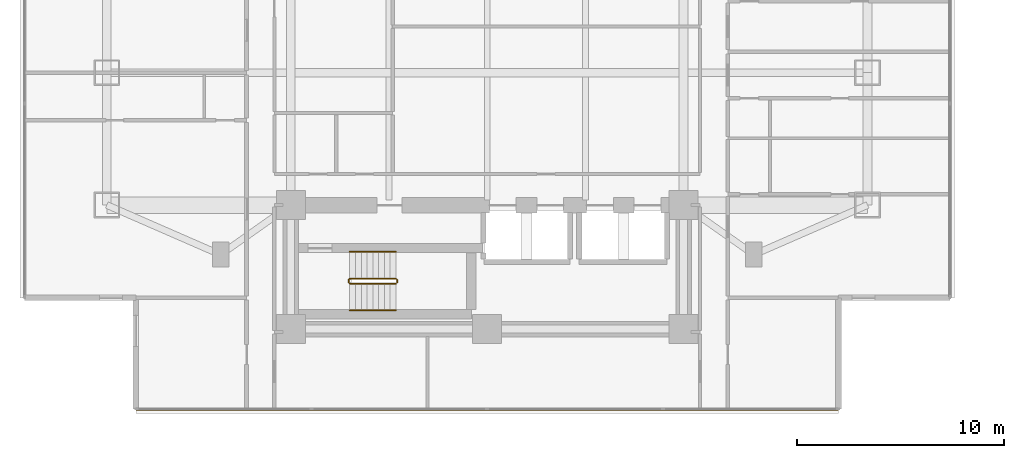
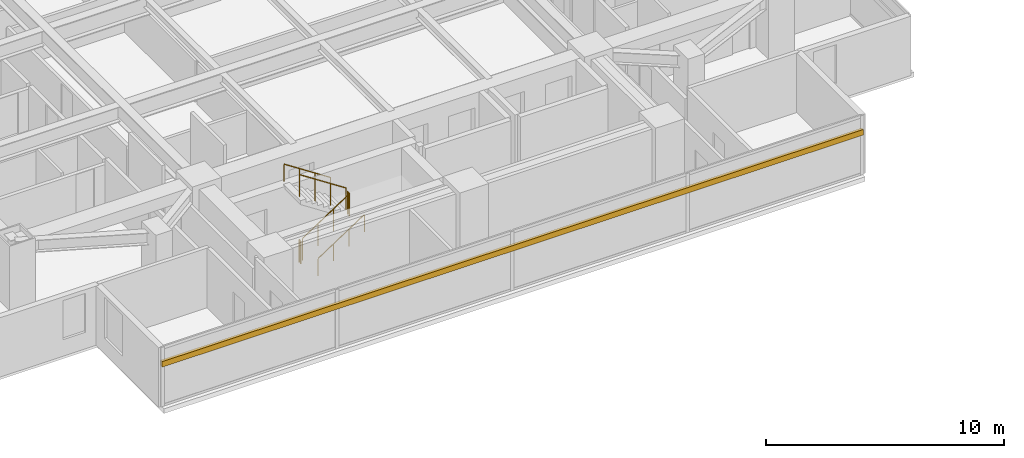
# One storey, part 22 of 26: 6 railings, 1 shading device.
"""IFC4 building model written with IfcOpenShell, lengths in metres."""

from ifc_helpers import new_model, si_unit, direction, frame, origin, origin_2d, place, context, subcontext, project, spatial, rectangle, circle, extrude, material, material_profile, profile_set, type_object, element, save


model = new_model("IFC4")

# Units and contexts
model_context = context("Model", 3, precision=1e-05, world=origin(), true_north=direction((0.0, 1.0)))
body_context = subcontext(model_context, "Body", "Model", "MODEL_VIEW")
ifc_project = project(units=[si_unit("LENGTHUNIT", "METRE"), si_unit("AREAUNIT", "SQUARE_METRE"), si_unit("VOLUMEUNIT", "CUBIC_METRE"), si_unit("PLANEANGLEUNIT", "RADIAN"), si_unit("MASSUNIT", "GRAM", prefix="KILO")], contexts=[model_context])

# Site, building, storey
site_placement = place(None, origin())
site = spatial("IfcSite", under=ifc_project, at=site_placement, CompositionType="ELEMENT")
building_placement = place(site_placement, origin())
building = spatial("IfcBuilding", under=site, at=building_placement, Name="Mirazonda Arch Towers", CompositionType="ELEMENT")
storey_placement = place(building_placement, frame((0.0, 0.0, 38.89990234375)))
storey = spatial("IfcBuildingStorey", under=building, at=storey_placement, Name="L10", CompositionType="ELEMENT", Elevation=38.89990234375)

# Shading device
ifc_material_1 = material(Name="Kiln-Fired Architectural Terracotta", Category="masonry")
ifc_material_profile = material_profile(ifc_material_1, rectangle(XDim=0.139892578125, YDim=0.280029296875, at=origin_2d()), Name="TERRA-BAG-140x280")
ifc_profile_set = profile_set([ifc_material_profile], Name="Kiln-Fired Architectural Terracotta")
shading_device_type = type_object("IfcShadingDeviceType", Name="BAGUETTE-3", PredefinedType="USERDEFINED", material=ifc_profile_set)
shading_device_placement = place(storey_placement, frame((37.5, 8.530029296875, 2.18896484375), z_axis=(-1.0, 0.0, 0.0), x_axis=(0.0, -1.0, 0.0)))
element("IfcShadingDevice", 1, at=shading_device_placement, inside=storey, type_object=shading_device_type, Name="L10 Glazed Terracotta Sun-Screen Baguette CW-L10-T1-S", ObjectType="BAGUETTE", PredefinedType="USERDEFINED", context=body_context, shape_type="SweptSolid", body=[
    extrude(rectangle(XDim=0.139892578125, YDim=0.280029296875, at=origin_2d()), origin(), (0.0, 0.0, 1.0), 34.0),
])

# Railings
ifc_material_2 = material(Name="Architectural Brushed Steel S355", Category="steel")
railing_type_1 = type_object("IfcRailingType", Name="GUARD-STAIR-1120", PredefinedType="GUARDRAIL", material=ifc_material_2)
railing_1_placement = place(storey_placement, frame((13.85009765625, 14.60009765625, 0.183349609375)))
element("IfcRailing", 2, at=railing_1_placement, inside=storey, type_object=railing_type_1, Name="L10 ST-T1S stair guard 1", PredefinedType="GUARDRAIL", context=body_context, shape_type="SweptSolid", body=[
    extrude(circle(Radius=0.02392578125, at=origin_2d()), frame((0.0, 0.0, 1.1259765625), z_axis=(0.836595146698, 0.0, 0.547821650285), x_axis=(0.0, 1.0, 0.0)), (0.0, 0.0, 1.0), 2.677490234375),
    extrude(circle(Radius=0.02099609375, at=origin_2d()), origin(), (0.0, 0.0, 1.0), 1.101806640625),
    extrude(circle(Radius=0.02099609375, at=origin_2d()), frame((0.74658203125, 0.0, 0.489013671875)), (0.0, 0.0, 1.0), 1.101806640625),
    extrude(circle(Radius=0.02099609375, at=origin_2d()), frame((1.493408203125, 0.0, 0.977783203125)), (0.0, 0.0, 1.0), 1.101806640625),
    extrude(circle(Radius=0.02099609375, at=origin_2d()), frame((2.239990234375, 0.0, 1.466796875)), (0.0, 0.0, 1.0), 1.101806640625),
])
railing_2_placement = place(storey_placement, frame((16.139892578125, 14.64990234375, 1.650146484375)))
element("IfcRailing", 3, at=railing_2_placement, inside=storey, type_object=railing_type_1, Name="L10 ST-T1S stair guard 2", PredefinedType="GUARDRAIL", context=body_context, shape_type="SweptSolid", body=[
    extrude(circle(Radius=0.02392578125, at=origin_2d()), frame((0.0, 0.0, 1.1259765625), z_axis=(0.0, 1.0, 0.0), x_axis=(-1.0, 0.0, 0.0)), (0.0, 0.0, 1.0), 0.14013671875),
    extrude(circle(Radius=0.02099609375, at=origin_2d()), origin(), (0.0, 0.0, 1.0), 1.101806640625),
    extrude(circle(Radius=0.02099609375, at=origin_2d()), frame((0.0, 0.14013671875, 0.0)), (0.0, 0.0, 1.0), 1.101806640625),
])
railing_3_placement = place(storey_placement, frame((16.090087890625, 14.840087890625, 1.83349609375)))
element("IfcRailing", 4, at=railing_3_placement, inside=storey, type_object=railing_type_1, Name="L10 ST-T1S stair guard 3", PredefinedType="GUARDRAIL", context=body_context, shape_type="SweptSolid", body=[
    extrude(circle(Radius=0.02392578125, at=origin_2d()), frame((0.0, 0.0, 1.1259765625), z_axis=(-0.836636935527, 0.0, 0.547757827979), x_axis=(0.0, -1.0, 0.0)), (0.0, 0.0, 1.0), 2.677490234375),
    extrude(circle(Radius=0.02099609375, at=origin_2d()), origin(), (0.0, 0.0, 1.0), 1.101806640625),
    extrude(circle(Radius=0.02099609375, at=origin_2d()), frame((-0.74658203125, 0.0, 0.48876953125)), (0.0, 0.0, 1.0), 1.101806640625),
    extrude(circle(Radius=0.02099609375, at=origin_2d()), frame((-1.493408203125, 0.0, 0.977783203125)), (0.0, 0.0, 1.0), 1.101806640625),
    extrude(circle(Radius=0.02099609375, at=origin_2d()), frame((-2.239990234375, 0.0, 1.466552734375)), (0.0, 0.0, 1.0), 1.101806640625),
])
railing_4_placement = place(storey_placement, frame((13.800048828125, 14.64990234375, 0.0)))
element("IfcRailing", 5, at=railing_4_placement, inside=storey, type_object=railing_type_1, Name="L10 ST-T1S stair guard 4", PredefinedType="GUARDRAIL", context=body_context, shape_type="SweptSolid", body=[
    extrude(circle(Radius=0.02392578125, at=origin_2d()), frame((0.0, 0.0, 1.1259765625), z_axis=(0.0, 1.0, 0.0), x_axis=(-1.0, 0.0, 0.0)), (0.0, 0.0, 1.0), 0.14013671875),
    extrude(circle(Radius=0.02099609375, at=origin_2d()), origin(), (0.0, 0.0, 1.0), 1.101806640625),
    extrude(circle(Radius=0.02099609375, at=origin_2d()), frame((0.0, 0.14013671875, 0.0)), (0.0, 0.0, 1.0), 1.101806640625),
])
railing_type_2 = type_object("IfcRailingType", Name="HANDRAIL-915", PredefinedType="HANDRAIL", material=ifc_material_2)
railing_5_placement = place(storey_placement, frame((13.85009765625, 13.300048828125, 0.183349609375)))
element("IfcRailing", 6, at=railing_5_placement, inside=storey, type_object=railing_type_2, Name="L10 ST-T1S stair handrail 1", PredefinedType="HANDRAIL", context=body_context, shape_type="SweptSolid", body=[
    extrude(circle(Radius=0.02392578125, at=origin_2d()), frame((0.0, 0.0, 0.8759765625), z_axis=(0.836595146698, 0.0, 0.547821650285), x_axis=(0.0, 1.0, 0.0)), (0.0, 0.0, 1.0), 2.677490234375),
    extrude(circle(Radius=0.02099609375, at=origin_2d()), origin(), (0.0, 0.0, 1.0), 0.851806640625),
    extrude(circle(Radius=0.02099609375, at=origin_2d()), frame((0.74658203125, 0.0, 0.489013671875)), (0.0, 0.0, 1.0), 0.851806640625),
    extrude(circle(Radius=0.02099609375, at=origin_2d()), frame((1.493408203125, 0.0, 0.977783203125)), (0.0, 0.0, 1.0), 0.851806640625),
    extrude(circle(Radius=0.02099609375, at=origin_2d()), frame((2.239990234375, 0.0, 1.466796875)), (0.0, 0.0, 1.0), 0.851806640625),
])
railing_6_placement = place(storey_placement, frame((16.090087890625, 16.139892578125, 1.83349609375)))
element("IfcRailing", 7, at=railing_6_placement, inside=storey, type_object=railing_type_2, Name="L10 ST-T1S stair handrail 2", PredefinedType="HANDRAIL", context=body_context, shape_type="SweptSolid", body=[
    extrude(circle(Radius=0.02392578125, at=origin_2d()), frame((0.0, 0.0, 0.8759765625), z_axis=(-0.836636935527, 0.0, 0.547757827979), x_axis=(0.0, -1.0, 0.0)), (0.0, 0.0, 1.0), 2.677490234375),
    extrude(circle(Radius=0.02099609375, at=origin_2d()), origin(), (0.0, 0.0, 1.0), 0.851806640625),
    extrude(circle(Radius=0.02099609375, at=origin_2d()), frame((-0.74658203125, 0.0, 0.48876953125)), (0.0, 0.0, 1.0), 0.851806640625),
    extrude(circle(Radius=0.02099609375, at=origin_2d()), frame((-1.493408203125, 0.0, 0.977783203125)), (0.0, 0.0, 1.0), 0.851806640625),
    extrude(circle(Radius=0.02099609375, at=origin_2d()), frame((-2.239990234375, 0.0, 1.466552734375)), (0.0, 0.0, 1.0), 0.851806640625),
])

save(model, "model.ifc")
